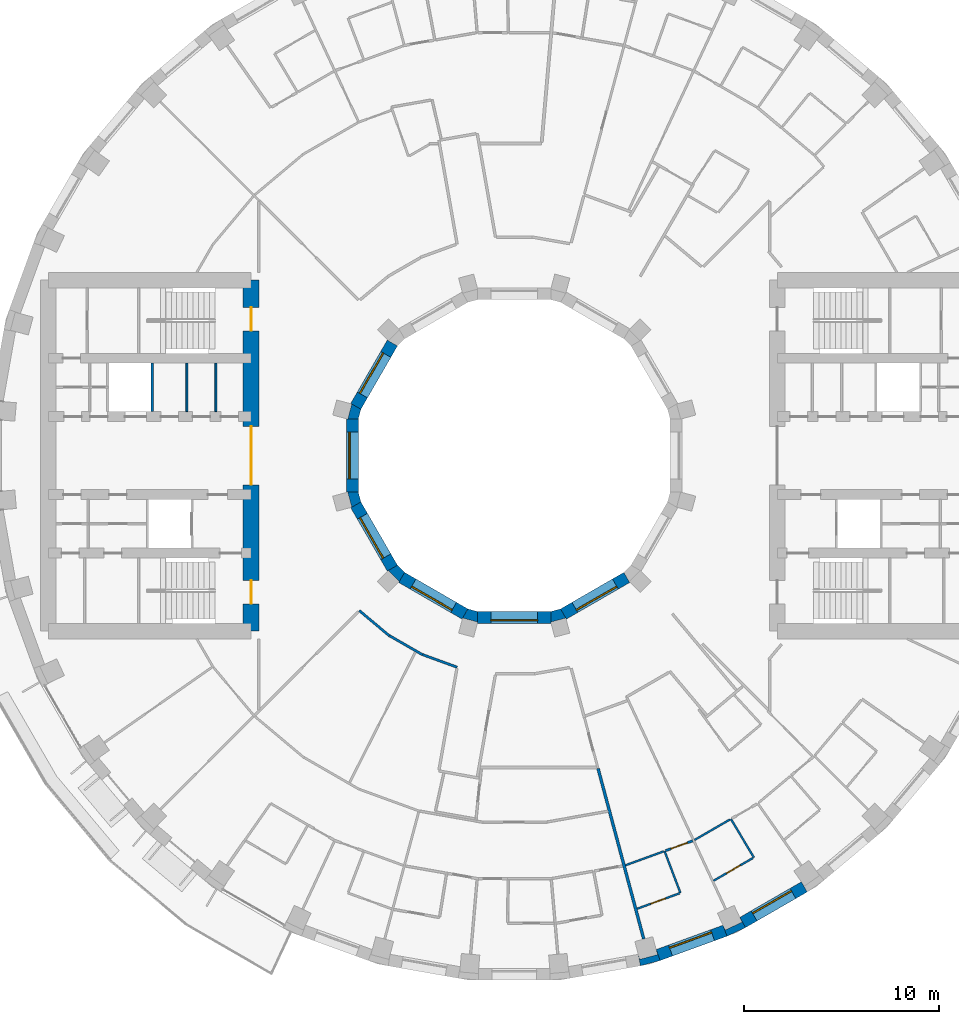
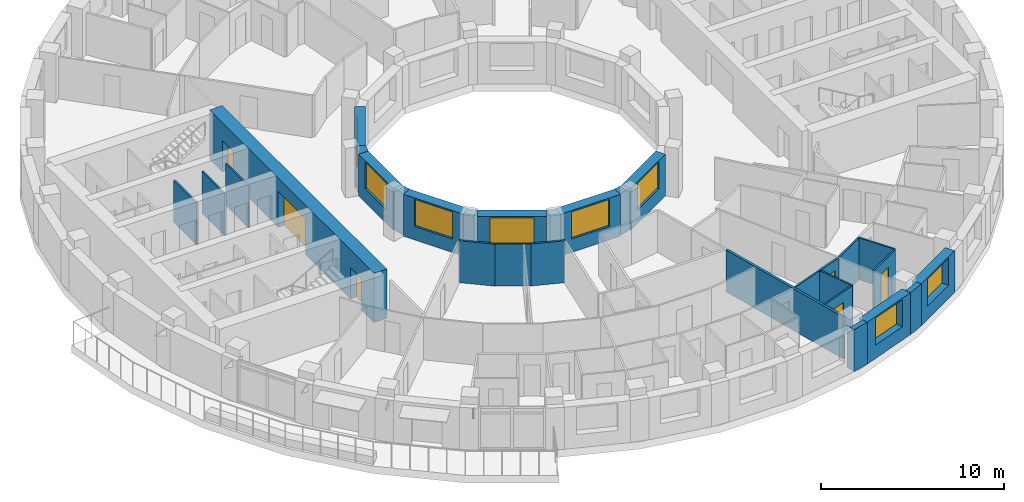
# One storey, part 7 of 16: 30 walls, 8 windows, 6 doors, 14 openings.
"""IFC4 building model written with IfcOpenShell, lengths in metres."""

from ifc_helpers import new_model, si_unit, direction, frame, frame_2d, origin, place, context, subcontext, project, spatial, polyline, rectangle, outline, extrude, material, layer, layer_set, type_object, element, fill, save


model = new_model("IFC4")

# Units and contexts
model_context = context("Model", 3, precision=1e-05, world=origin(), true_north=direction((0.0, 1.0)))
body_context = subcontext(model_context, "Body", "Model", "MODEL_VIEW")
ifc_project = project(units=[si_unit("LENGTHUNIT", "METRE"), si_unit("AREAUNIT", "SQUARE_METRE"), si_unit("VOLUMEUNIT", "CUBIC_METRE"), si_unit("PLANEANGLEUNIT", "RADIAN"), si_unit("MASSUNIT", "GRAM", prefix="KILO")], contexts=[model_context])

# Site, building, storey
site_placement = place(None, origin())
site = spatial("IfcSite", under=ifc_project, at=site_placement, CompositionType="ELEMENT")
building_placement = place(site_placement, origin())
building = spatial("IfcBuilding", under=site, at=building_placement, Name="Saqina Gate Tower", CompositionType="ELEMENT")
storey_placement = place(building_placement, frame((0.0, 0.0, 121.60009765625)))
storey = spatial("IfcBuildingStorey", under=building, at=storey_placement, Name="L34", CompositionType="ELEMENT", Elevation=121.60009765625)

# Walls
ifc_material_1 = material(Name="Brick masonry (buff)", Category="masonry")
wall_type_1 = type_object("IfcWallType", Name="BRICK PIER COPING BUFF", PredefinedType="SOLIDWALL", material=ifc_material_1)
wall_1_placement = place(storey_placement, origin())
element("IfcWall", 1, at=wall_1_placement, inside=storey, type_object=wall_type_1, Name="Pier cap L34 column 29", PredefinedType="SOLIDWALL", context=body_context, shape_type="SweptSolid", body=[
    extrude(outline(polyline([(6.466796875, -26.171875), (7.485595703125, -25.89892578125), (7.2802734375, -25.335205078125), (7.349853515625, -25.5947265625), (6.43212890625, -25.8408203125), (6.36279296875, -25.5810546875), (6.466796875, -26.171875)])), origin(), (0.0, 0.0, 1.0), 2.7998046875),
])
wall_2_placement = place(storey_placement, origin())
element("IfcWall", 2, at=wall_2_placement, inside=storey, type_object=wall_type_1, Name="Pier cap L34 column 30", PredefinedType="SOLIDWALL", context=body_context, shape_type="SweptSolid", body=[
    extrude(outline(polyline([(10.913330078125, -24.6513671875), (11.869140625, -24.205810546875), (11.569091796875, -23.68603515625), (11.6826171875, -23.9296875), (10.82177734375, -24.331298828125), (10.7080078125, -24.08740234375), (10.913330078125, -24.6513671875)])), origin(), (0.0, 0.0, 1.0), 2.7998046875),
])
ifc_material_2 = material(Name="Gypsum board on steel studs", Category="steel")
ifc_layer_1 = layer(ifc_material_2, 0.10009765625)
ifc_layer_set_1 = layer_set([ifc_layer_1], Name="CORE PARTITION")
wall_type_2 = type_object("IfcWallType", Name="CORE PARTITION", PredefinedType="PARTITIONING", material=ifc_layer_set_1)
for number, where, z_axis, x_axis, name in (
    (3, (-15.298095703125, 2.25, 0.0), (0.0, 0.0, 1.0), (0.0, 1.0, 0.0), "L34-CP-W01"),
    (4, (-16.789306640625, 2.25, 0.0), (0.0, 0.0, 1.0), (0.0, 1.0, 0.0), "L34-CP-W02"),
):
    element("IfcWall", number, at=place(storey_placement, frame(where, z_axis=z_axis, x_axis=x_axis)), inside=storey, type_object=wall_type_2, Name=name, PredefinedType="PARTITIONING", context=body_context, shape_type="SweptSolid", body=[
        extrude(rectangle(XDim=2.5, YDim=0.10009765625, at=frame_2d((1.25, 0.0))), origin(), (0.0, 0.0, 1.0), 2.7998046875),
    ])

# Wall, opening, window
ifc_material_3 = material(Name="Brick masonry (buff)", Category="masonry")
ifc_layer_2 = layer(ifc_material_3, 0.60009765625)
ifc_layer_set_2 = layer_set([ifc_layer_2], Name="FW-BRICK-BUFF")
wall_type_3 = type_object("IfcWallType", Name="FW-BRICK-BUFF", PredefinedType="SOLIDWALL", material=ifc_layer_set_2)
wall_3_placement = place(storey_placement, frame((7.3828125, -25.616943359375, 0.0), z_axis=(0.0, 0.0, 1.0), x_axis=(0.939703505393, 0.341990236633, 0.0)))
wall_3 = element("IfcWall", 5, at=wall_3_placement, inside=storey, type_object=wall_type_3, Name="Facade wall L34 facet 29", PredefinedType="SOLIDWALL", context=body_context, shape_type="SweptSolid", body=[
    extrude(rectangle(XDim=3.64794921875, YDim=0.60009765625, at=frame_2d((1.823974609375, 0.0))), origin(), (0.0, 0.0, 1.0), 2.7998046875),
])
opening_1_placement = place(wall_3_placement, frame((0.673828125, 0.0, 0.89990234375)))
opening_1 = element("IfcOpeningElement", 6, at=opening_1_placement, cuts=wall_3, Name="Opening G10-W18", PredefinedType="OPENING", context=body_context, shape_type="SweptSolid", body=[
    extrude(rectangle(XDim=2.300048828125, YDim=1.800048828125, at=frame_2d((1.14990234375, 0.89990234375))), frame((0.0, 0.31201171875, 0.0), z_axis=(0.0, -1.0, 0.0), x_axis=(1.0, 0.0, 0.0)), (0.0, 0.0, 1.0), 0.6240234375),
])
ifc_material_4 = material(Name="Aluminium glazing", Category="aluminium")
window_type_1 = type_object("IfcWindowType", Name="WN-B", PartitioningType="SINGLE_PANEL", PredefinedType="WINDOW", material=ifc_material_4)
window_1_placement = place(opening_1_placement, origin())
window_1 = element("IfcWindow", 7, at=window_1_placement, inside=storey, type_object=window_type_1, Name="Window L34 facet 29", OverallHeight=1.800048828125, OverallWidth=2.300048828125, PartitioningType="SINGLE_PANEL", PredefinedType="WINDOW", context=body_context, shape_type="SweptSolid", body=[
    extrude(rectangle(XDim=2.300048828125, YDim=1.800048828125, at=frame_2d((1.14990234375, 0.89990234375))), frame((0.0, 0.179931640625, 0.0), z_axis=(0.0, -1.0, 0.0), x_axis=(1.0, 0.0, 0.0)), (0.0, 0.0, 1.0), 0.06005859375),
])
fill(opening_1, window_1)

wall_4_placement = place(storey_placement, frame((11.718994140625, -23.94580078125, 0.0), z_axis=(0.0, 0.0, 1.0), x_axis=(0.866051847062, 0.499954196102, 0.0)))
wall_4 = element("IfcWall", 8, at=wall_4_placement, inside=storey, type_object=wall_type_3, Name="Facade wall L34 facet 30", PredefinedType="SOLIDWALL", context=body_context, shape_type="SweptSolid", body=[
    extrude(rectangle(XDim=3.647705078125, YDim=0.60009765625, at=frame_2d((1.82373046875, 0.0))), origin(), (0.0, 0.0, 1.0), 2.7998046875),
])
opening_2_placement = place(wall_4_placement, frame((0.673828125, 0.0, 0.89990234375)))
opening_2 = element("IfcOpeningElement", 9, at=opening_2_placement, cuts=wall_4, Name="Opening G10-W19", PredefinedType="OPENING", context=body_context, shape_type="SweptSolid", body=[
    extrude(rectangle(XDim=2.300048828125, YDim=1.800048828125, at=frame_2d((1.14990234375, 0.89990234375))), frame((0.0, 0.31201171875, 0.0), z_axis=(0.0, -1.0, 0.0), x_axis=(1.0, 0.0, 0.0)), (0.0, 0.0, 1.0), 0.6240234375),
])
window_2_placement = place(opening_2_placement, origin())
window_2 = element("IfcWindow", 10, at=window_2_placement, inside=storey, type_object=window_type_1, Name="Window L34 facet 30", OverallHeight=1.800048828125, OverallWidth=2.300048828125, PartitioningType="SINGLE_PANEL", PredefinedType="WINDOW", context=body_context, shape_type="SweptSolid", body=[
    extrude(rectangle(XDim=2.300048828125, YDim=1.800048828125, at=frame_2d((1.14990234375, 0.89990234375))), frame((0.0, 0.179931640625, 0.0), z_axis=(0.0, -1.0, 0.0), x_axis=(1.0, 0.0, 0.0)), (0.0, 0.0, 1.0), 0.06005859375),
])
fill(opening_2, window_2)

ifc_material_5 = material(Name="Glazed ceramic tile", Category="ceramic")
ifc_layer_3 = layer(ifc_material_5, 0.60009765625)
ifc_layer_set_3 = layer_set([ifc_layer_3], Name="IW-TILE")
wall_type_4 = type_object("IfcWallType", Name="IW-TILE", PredefinedType="SOLIDWALL", material=ifc_layer_set_3)
wall_5_placement = place(storey_placement, frame((-6.251220703125, 5.772705078125, 0.0), z_axis=(0.0, 0.0, 1.0), x_axis=(-0.499964958637, -0.86604563398, 0.0)))
wall_5 = element("IfcWall", 11, at=wall_5_placement, inside=storey, type_object=wall_type_4, Name="Well wall L34 facet 5", PredefinedType="SOLIDWALL", context=body_context, shape_type="SweptSolid", body=[
    extrude(rectangle(XDim=3.747314453125, YDim=0.60009765625, at=frame_2d((1.87353515625, 0.0))), origin(), (0.0, 0.0, 1.0), 2.7998046875),
])
opening_3_placement = place(wall_5_placement, frame((0.673583984375, 0.0, 0.89990234375)))
opening_3 = element("IfcOpeningElement", 12, at=opening_3_placement, cuts=wall_5, Name="Opening G10-W27", PredefinedType="OPENING", context=body_context, shape_type="SweptSolid", body=[
    extrude(rectangle(XDim=2.39990234375, YDim=1.800048828125, at=frame_2d((1.199951171875, 0.89990234375))), frame((0.0, 0.31201171875, 0.0), z_axis=(0.0, -1.0, 0.0), x_axis=(1.0, 0.0, 0.0)), (0.0, 0.0, 1.0), 0.6240234375),
])
ifc_material_6 = material(Name="Aluminium glazing", Category="aluminium")
window_type_2 = type_object("IfcWindowType", Name="WN-W", PartitioningType="SINGLE_PANEL", PredefinedType="WINDOW", material=ifc_material_6)
window_3_placement = place(opening_3_placement, origin())
window_3 = element("IfcWindow", 13, at=window_3_placement, inside=storey, type_object=window_type_2, Name="Well window L34 facet 5", OverallHeight=1.800048828125, OverallWidth=2.39990234375, PartitioningType="SINGLE_PANEL", PredefinedType="WINDOW", context=body_context, shape_type="SweptSolid", body=[
    extrude(rectangle(XDim=2.39990234375, YDim=1.800048828125, at=frame_2d((1.199951171875, 0.89990234375))), frame((0.0, -0.119873046875, 0.0), z_axis=(0.0, -1.0, 0.0), x_axis=(1.0, 0.0, 0.0)), (0.0, 0.0, 1.0), 0.06005859375),
])
fill(opening_3, window_3)

wall_6_placement = place(storey_placement, frame((-8.300048828125, 1.873779296875, 0.0), z_axis=(0.0, 0.0, 1.0), x_axis=(0.0, -1.0, 0.0)))
wall_6 = element("IfcWall", 14, at=wall_6_placement, inside=storey, type_object=wall_type_4, Name="Well wall L34 facet 6", PredefinedType="SOLIDWALL", context=body_context, shape_type="SweptSolid", body=[
    extrude(rectangle(XDim=3.74755859375, YDim=0.60009765625, at=frame_2d((1.873779296875, 0.0))), origin(), (0.0, 0.0, 1.0), 2.7998046875),
])
opening_4_placement = place(wall_6_placement, frame((0.673583984375, 0.0, 0.89990234375)))
opening_4 = element("IfcOpeningElement", 15, at=opening_4_placement, cuts=wall_6, Name="Opening G10-W28", PredefinedType="OPENING", context=body_context, shape_type="SweptSolid", body=[
    extrude(rectangle(XDim=2.39990234375, YDim=1.800048828125, at=frame_2d((1.199951171875, 0.89990234375))), frame((0.0, 0.31201171875, 0.0), z_axis=(0.0, -1.0, 0.0), x_axis=(1.0, 0.0, 0.0)), (0.0, 0.0, 1.0), 0.6240234375),
])
window_4_placement = place(opening_4_placement, origin())
window_4 = element("IfcWindow", 16, at=window_4_placement, inside=storey, type_object=window_type_2, Name="Well window L34 facet 6", OverallHeight=1.800048828125, OverallWidth=2.39990234375, PartitioningType="SINGLE_PANEL", PredefinedType="WINDOW", context=body_context, shape_type="SweptSolid", body=[
    extrude(rectangle(XDim=2.39990234375, YDim=1.800048828125, at=frame_2d((1.199951171875, 0.89990234375))), frame((0.0, -0.119873046875, 0.0), z_axis=(0.0, -1.0, 0.0), x_axis=(1.0, 0.0, 0.0)), (0.0, 0.0, 1.0), 0.06005859375),
])
fill(opening_4, window_4)

wall_7_placement = place(storey_placement, frame((-8.124755859375, -2.52734375, 0.0), z_axis=(0.0, 0.0, 1.0), x_axis=(0.499964958637, -0.86604563398, 0.0)))
wall_7 = element("IfcWall", 17, at=wall_7_placement, inside=storey, type_object=wall_type_4, Name="Well wall L34 facet 7", PredefinedType="SOLIDWALL", context=body_context, shape_type="SweptSolid", body=[
    extrude(rectangle(XDim=3.747314453125, YDim=0.60009765625, at=frame_2d((1.87353515625, 0.0))), origin(), (0.0, 0.0, 1.0), 2.7998046875),
])
opening_5_placement = place(wall_7_placement, frame((0.673583984375, 0.0, 0.89990234375)))
opening_5 = element("IfcOpeningElement", 18, at=opening_5_placement, cuts=wall_7, Name="Opening G10-W29", PredefinedType="OPENING", context=body_context, shape_type="SweptSolid", body=[
    extrude(rectangle(XDim=2.39990234375, YDim=1.800048828125, at=frame_2d((1.199951171875, 0.89990234375))), frame((0.0, 0.31201171875, 0.0), z_axis=(0.0, -1.0, 0.0), x_axis=(1.0, 0.0, 0.0)), (0.0, 0.0, 1.0), 0.6240234375),
])
window_5_placement = place(opening_5_placement, origin())
window_5 = element("IfcWindow", 19, at=window_5_placement, inside=storey, type_object=window_type_2, Name="Well window L34 facet 7", OverallHeight=1.800048828125, OverallWidth=2.39990234375, PartitioningType="SINGLE_PANEL", PredefinedType="WINDOW", context=body_context, shape_type="SweptSolid", body=[
    extrude(rectangle(XDim=2.39990234375, YDim=1.800048828125, at=frame_2d((1.199951171875, 0.89990234375))), frame((0.0, -0.119873046875, 0.0), z_axis=(0.0, -1.0, 0.0), x_axis=(1.0, 0.0, 0.0)), (0.0, 0.0, 1.0), 0.06005859375),
])
fill(opening_5, window_5)

wall_8_placement = place(storey_placement, frame((-5.772705078125, -6.251220703125, 0.0), z_axis=(0.0, 0.0, 1.0), x_axis=(0.86604563398, -0.499964958637, 0.0)))
wall_8 = element("IfcWall", 20, at=wall_8_placement, inside=storey, type_object=wall_type_4, Name="Well wall L34 facet 8", PredefinedType="SOLIDWALL", context=body_context, shape_type="SweptSolid", body=[
    extrude(rectangle(XDim=3.747314453125, YDim=0.60009765625, at=frame_2d((1.87353515625, 0.0))), origin(), (0.0, 0.0, 1.0), 2.7998046875),
])
opening_6_placement = place(wall_8_placement, frame((0.673583984375, 0.0, 0.89990234375)))
opening_6 = element("IfcOpeningElement", 21, at=opening_6_placement, cuts=wall_8, Name="Opening G10-W30", PredefinedType="OPENING", context=body_context, shape_type="SweptSolid", body=[
    extrude(rectangle(XDim=2.39990234375, YDim=1.800048828125, at=frame_2d((1.199951171875, 0.89990234375))), frame((0.0, 0.31201171875, 0.0), z_axis=(0.0, -1.0, 0.0), x_axis=(1.0, 0.0, 0.0)), (0.0, 0.0, 1.0), 0.6240234375),
])
window_6_placement = place(opening_6_placement, origin())
window_6 = element("IfcWindow", 22, at=window_6_placement, inside=storey, type_object=window_type_2, Name="Well window L34 facet 8", OverallHeight=1.800048828125, OverallWidth=2.39990234375, PartitioningType="SINGLE_PANEL", PredefinedType="WINDOW", context=body_context, shape_type="SweptSolid", body=[
    extrude(rectangle(XDim=2.39990234375, YDim=1.800048828125, at=frame_2d((1.199951171875, 0.89990234375))), frame((0.0, -0.119873046875, 0.0), z_axis=(0.0, -1.0, 0.0), x_axis=(1.0, 0.0, 0.0)), (0.0, 0.0, 1.0), 0.06005859375),
])
fill(opening_6, window_6)

wall_9_placement = place(storey_placement, frame((-1.873779296875, -8.300048828125, 0.0), z_axis=(0.0, 0.0, 1.0), x_axis=(1.0, 0.0, 0.0)))
wall_9 = element("IfcWall", 23, at=wall_9_placement, inside=storey, type_object=wall_type_4, Name="Well wall L34 facet 9", PredefinedType="SOLIDWALL", context=body_context, shape_type="SweptSolid", body=[
    extrude(rectangle(XDim=3.74755859375, YDim=0.60009765625, at=frame_2d((1.873779296875, 0.0))), origin(), (0.0, 0.0, 1.0), 2.7998046875),
])
opening_7_placement = place(wall_9_placement, frame((0.673583984375, 0.0, 0.89990234375)))
opening_7 = element("IfcOpeningElement", 24, at=opening_7_placement, cuts=wall_9, Name="Opening G10-W31", PredefinedType="OPENING", context=body_context, shape_type="SweptSolid", body=[
    extrude(rectangle(XDim=2.39990234375, YDim=1.800048828125, at=frame_2d((1.199951171875, 0.89990234375))), frame((0.0, 0.31201171875, 0.0), z_axis=(0.0, -1.0, 0.0), x_axis=(1.0, 0.0, 0.0)), (0.0, 0.0, 1.0), 0.6240234375),
])
window_7_placement = place(opening_7_placement, origin())
window_7 = element("IfcWindow", 25, at=window_7_placement, inside=storey, type_object=window_type_2, Name="Well window L34 facet 9", OverallHeight=1.800048828125, OverallWidth=2.39990234375, PartitioningType="SINGLE_PANEL", PredefinedType="WINDOW", context=body_context, shape_type="SweptSolid", body=[
    extrude(rectangle(XDim=2.39990234375, YDim=1.800048828125, at=frame_2d((1.199951171875, 0.89990234375))), frame((0.0, -0.119873046875, 0.0), z_axis=(0.0, -1.0, 0.0), x_axis=(1.0, 0.0, 0.0)), (0.0, 0.0, 1.0), 0.06005859375),
])
fill(opening_7, window_7)

wall_10_placement = place(storey_placement, frame((2.52734375, -8.124755859375, 0.0), z_axis=(0.0, 0.0, 1.0), x_axis=(0.86604563398, 0.499964958637, 0.0)))
wall_10 = element("IfcWall", 26, at=wall_10_placement, inside=storey, type_object=wall_type_4, Name="Well wall L34 facet 10", PredefinedType="SOLIDWALL", context=body_context, shape_type="SweptSolid", body=[
    extrude(rectangle(XDim=3.747314453125, YDim=0.60009765625, at=frame_2d((1.87353515625, 0.0))), origin(), (0.0, 0.0, 1.0), 2.7998046875),
])
opening_8_placement = place(wall_10_placement, frame((0.673583984375, 0.0, 0.89990234375)))
opening_8 = element("IfcOpeningElement", 27, at=opening_8_placement, cuts=wall_10, Name="Opening G10-W32", PredefinedType="OPENING", context=body_context, shape_type="SweptSolid", body=[
    extrude(rectangle(XDim=2.39990234375, YDim=1.800048828125, at=frame_2d((1.199951171875, 0.89990234375))), frame((0.0, 0.31201171875, 0.0), z_axis=(0.0, -1.0, 0.0), x_axis=(1.0, 0.0, 0.0)), (0.0, 0.0, 1.0), 0.6240234375),
])
window_8_placement = place(opening_8_placement, origin())
window_8 = element("IfcWindow", 28, at=window_8_placement, inside=storey, type_object=window_type_2, Name="Well window L34 facet 10", OverallHeight=1.800048828125, OverallWidth=2.39990234375, PartitioningType="SINGLE_PANEL", PredefinedType="WINDOW", context=body_context, shape_type="SweptSolid", body=[
    extrude(rectangle(XDim=2.39990234375, YDim=1.800048828125, at=frame_2d((1.199951171875, 0.89990234375))), frame((0.0, -0.119873046875, 0.0), z_axis=(0.0, -1.0, 0.0), x_axis=(1.0, 0.0, 0.0)), (0.0, 0.0, 1.0), 0.06005859375),
])
fill(opening_8, window_8)

# Walls
ifc_material_7 = material(Name="Gypsum board on steel studs, 100 mm", Category="steel")
ifc_layer_4 = layer(ifc_material_7, 0.10009765625)
ifc_layer_set_4 = layer_set([ifc_layer_4], Name="PARTITION 100")
wall_type_5 = type_object("IfcWallType", Name="PARTITION 100", PredefinedType="PARTITIONING", material=ifc_layer_set_4)
wall_11_placement = place(storey_placement, frame((7.708984375, -20.283935546875, 0.0), z_axis=(0.0, 0.0, 1.0), x_axis=(0.355156544563, -0.934806840397, 0.0)))
element("IfcWall", 29, at=wall_11_placement, inside=storey, type_object=wall_type_5, Name="PARTITION PW3-11", PredefinedType="PARTITIONING", context=body_context, shape_type="SweptSolid", body=[
    extrude(rectangle(XDim=2.300048828125, YDim=0.10009765625, at=frame_2d((1.14990234375, 0.0))), origin(), (0.0, 0.0, 1.0), 2.7998046875),
])
wall_12_placement = place(storey_placement, frame((11.114013671875, -18.636962890625, 0.0), z_axis=(0.0, 0.0, 1.0), x_axis=(0.512043462342, -0.858959540766, 0.0)))
element("IfcWall", 30, at=wall_12_placement, inside=storey, type_object=wall_type_5, Name="PARTITION PW3-18", PredefinedType="PARTITIONING", context=body_context, shape_type="SweptSolid", body=[
    extrude(rectangle(XDim=2.300537109375, YDim=0.10009765625, at=frame_2d((1.150390625, 0.0))), origin(), (0.0, 0.0, 1.0), 2.7998046875),
])

# Wall, opening, door
wall_13_placement = place(storey_placement, frame((6.305419921875, -23.242431640625, 0.0), z_axis=(0.0, 0.0, 1.0), x_axis=(0.939673181972, 0.342073546307, 0.0)))
wall_13 = element("IfcWall", 31, at=wall_13_placement, inside=storey, type_object=wall_type_5, Name="PARTITION PW3-63", PredefinedType="PARTITIONING", context=body_context, shape_type="SweptSolid", body=[
    extrude(rectangle(XDim=2.313232421875, YDim=0.10009765625, at=frame_2d((1.15673828125, 0.0))), origin(), (0.0, 0.0, 1.0), 2.7998046875),
])
opening_9_placement = place(wall_13_placement, frame((0.743896484375, 0.0, 0.0)))
opening_9 = element("IfcOpeningElement", 32, at=opening_9_placement, cuts=wall_13, Name="Opening G10-D48", PredefinedType="OPENING", context=body_context, shape_type="SweptSolid", body=[
    extrude(rectangle(XDim=0.800048828125, YDim=2.10009765625, at=frame_2d((0.39990234375, 1.050048828125))), frame((0.0, 0.06201171875, 0.0), z_axis=(0.0, -1.0, 0.0), x_axis=(1.0, 0.0, 0.0)), (0.0, 0.0, 1.0), 0.1240234375),
])
ifc_material_8 = material(Name="Timber door leaf, 800 mm", Category="wood")
door_type_1 = type_object("IfcDoorType", Name="DOOR 800 TIMBER", OperationType="SINGLE_SWING_LEFT", PredefinedType="DOOR", material=ifc_material_8)
door_1_placement = place(opening_9_placement, frame((0.800048828125, 0.0, 0.0), z_axis=(0.0, 0.0, 1.0), x_axis=(-1.0, 0.0, 0.0)))
door_1 = element("IfcDoor", 33, at=door_1_placement, inside=storey, type_object=door_type_1, Name="DOOR G10-D48", OperationType="SINGLE_SWING_RIGHT", OverallHeight=2.10009765625, OverallWidth=0.800048828125, PredefinedType="DOOR", context=body_context, shape_type="SweptSolid", body=[
    extrude(rectangle(XDim=0.800048828125, YDim=2.10009765625, at=frame_2d((0.39990234375, 1.050048828125))), frame((0.0, 0.02490234375, 0.0), z_axis=(0.0, -1.0, 0.0), x_axis=(1.0, 0.0, 0.0)), (0.0, 0.0, 1.0), 0.050048828125),
])
fill(opening_9, door_1)

# Wall
wall_14_placement = place(storey_placement, frame((5.70751953125, -21.012451171875, 0.0), z_axis=(0.0, 0.0, 1.0), x_axis=(0.939690572239, 0.342025771609, 0.0)))
element("IfcWall", 34, at=wall_14_placement, inside=storey, type_object=wall_type_5, Name="PARTITION PW3-64", PredefinedType="PARTITIONING", context=body_context, shape_type="SweptSolid", body=[
    extrude(rectangle(XDim=2.080078125, YDim=0.10009765625, at=frame_2d((1.0400390625, 0.0))), origin(), (0.0, 0.0, 1.0), 2.7998046875),
])

# Wall, opening, door
wall_15_placement = place(storey_placement, frame((10.2236328125, -21.806884765625, 0.0), z_axis=(0.0, 0.0, 1.0), x_axis=(0.866076057046, 0.499912255713, 0.0)))
wall_15 = element("IfcWall", 35, at=wall_15_placement, inside=storey, type_object=wall_type_5, Name="PARTITION PW3-69", PredefinedType="PARTITIONING", context=body_context, shape_type="SweptSolid", body=[
    extrude(rectangle(XDim=2.33837890625, YDim=0.10009765625, at=frame_2d((1.169189453125, 0.0))), origin(), (0.0, 0.0, 1.0), 2.7998046875),
])
opening_10_placement = place(wall_15_placement, frame((0.768798828125, 0.0, 0.0)))
opening_10 = element("IfcOpeningElement", 36, at=opening_10_placement, cuts=wall_15, Name="Opening G10-D51", PredefinedType="OPENING", context=body_context, shape_type="SweptSolid", body=[
    extrude(rectangle(XDim=0.800048828125, YDim=2.10009765625, at=frame_2d((0.39990234375, 1.050048828125))), frame((0.0, 0.06201171875, 0.0), z_axis=(0.0, -1.0, 0.0), x_axis=(1.0, 0.0, 0.0)), (0.0, 0.0, 1.0), 0.1240234375),
])
door_2_placement = place(opening_10_placement, frame((0.800048828125, 0.0, 0.0), z_axis=(0.0, 0.0, 1.0), x_axis=(-1.0, 0.0, 0.0)))
door_2 = element("IfcDoor", 37, at=door_2_placement, inside=storey, type_object=door_type_1, Name="DOOR G10-D51", OperationType="SINGLE_SWING_RIGHT", OverallHeight=2.10009765625, OverallWidth=0.800048828125, PredefinedType="DOOR", context=body_context, shape_type="SweptSolid", body=[
    extrude(rectangle(XDim=0.800048828125, YDim=2.10009765625, at=frame_2d((0.39990234375, 1.050048828125))), frame((0.0, 0.02490234375, 0.0), z_axis=(0.0, -1.0, 0.0), x_axis=(1.0, 0.0, 0.0)), (0.0, 0.0, 1.0), 0.050048828125),
])
fill(opening_10, door_2)

# Walls
wall_16_placement = place(storey_placement, frame((9.248291015625, -19.715087890625, 0.0), z_axis=(0.0, 0.0, 1.0), x_axis=(0.865870655861, 0.50026793553, 0.0)))
element("IfcWall", 38, at=wall_16_placement, inside=storey, type_object=wall_type_5, Name="PARTITION PW3-70", PredefinedType="PARTITIONING", context=body_context, shape_type="SweptSolid", body=[
    extrude(rectangle(XDim=2.104736328125, YDim=0.10009765625, at=frame_2d((1.05224609375, 0.0))), origin(), (0.0, 0.0, 1.0), 2.7998046875),
])
ifc_material_9 = material(Name="Gypsum board on steel studs, 125 mm, fire rated", Category="steel")
ifc_layer_5 = layer(ifc_material_9, 0.125)
ifc_layer_set_5 = layer_set([ifc_layer_5], Name="PARTITION EI 30 125")
wall_type_6 = type_object("IfcWallType", Name="PARTITION EI 30 125", PredefinedType="PARTITIONING", material=ifc_layer_set_5)
wall_17_placement = place(storey_placement, frame((-7.947998046875, -7.947998046875, 0.0), z_axis=(0.0, 0.0, 1.0), x_axis=(0.765990176891, -0.642852276115, 0.0)))
element("IfcWall", 39, at=wall_17_placement, inside=storey, type_object=wall_type_6, Name="PARTITION PW1-11", PredefinedType="PARTITIONING", context=body_context, shape_type="SweptSolid", body=[
    extrude(rectangle(XDim=2.022216796875, YDim=0.125, at=frame_2d((1.01123046875, 0.0))), origin(), (0.0, 0.0, 1.0), 2.7998046875),
])
wall_18_placement = place(storey_placement, frame((-6.393798828125, -9.2392578125, 0.0), z_axis=(0.0, 0.0, 1.0), x_axis=(0.866328596722, -0.499474486338, 0.0)))
element("IfcWall", 40, at=wall_18_placement, inside=storey, type_object=wall_type_6, Name="PARTITION PW1-16", PredefinedType="PARTITIONING", context=body_context, shape_type="SweptSolid", body=[
    extrude(rectangle(XDim=1.96044921875, YDim=0.125, at=frame_2d((0.980224609375, 0.0))), origin(), (0.0, 0.0, 1.0), 2.7998046875),
])
wall_19_placement = place(storey_placement, frame((-4.6923828125, -10.21044921875, 0.0), z_axis=(0.0, 0.0, 1.0), x_axis=(0.939424480892, -0.342755955019, 0.0)))
element("IfcWall", 41, at=wall_19_placement, inside=storey, type_object=wall_type_6, Name="PARTITION PW1-21", PredefinedType="PARTITIONING", context=body_context, shape_type="SweptSolid", body=[
    extrude(rectangle(XDim=1.876953125, YDim=0.125, at=frame_2d((0.9384765625, 0.0))), origin(), (0.0, 0.0, 1.0), 2.7998046875),
])

# Wall, opening, door
wall_20_placement = place(storey_placement, frame((7.756103515625, -20.266845703125, 0.0), z_axis=(0.0, 0.0, 1.0), x_axis=(0.939793423488, 0.341743063087, 0.0)))
wall_20 = element("IfcWall", 42, at=wall_20_placement, inside=storey, type_object=wall_type_6, Name="PARTITION PW1-35", PredefinedType="PARTITIONING", context=body_context, shape_type="SweptSolid", body=[
    extrude(rectangle(XDim=1.49169921875, YDim=0.125, at=frame_2d((0.745849609375, 0.0))), origin(), (0.0, 0.0, 1.0), 2.7998046875),
])
opening_11_placement = place(wall_20_placement, frame((0.2958984375, 0.0, 0.0)))
opening_11 = element("IfcOpeningElement", 43, at=opening_11_placement, cuts=wall_20, Name="Opening G10-D49", PredefinedType="OPENING", context=body_context, shape_type="SweptSolid", body=[
    extrude(rectangle(XDim=0.89990234375, YDim=2.10009765625, at=frame_2d((0.449951171875, 1.050048828125))), frame((0.0, 0.074462890625, 0.0), z_axis=(0.0, -1.0, 0.0), x_axis=(1.0, 0.0, 0.0)), (0.0, 0.0, 1.0), 0.14892578125),
])
ifc_material_10 = material(Name="Fire door leaf EI 30, 900 mm")
door_type_2 = type_object("IfcDoorType", Name="DOOR 900 EI 30", OperationType="SINGLE_SWING_LEFT", PredefinedType="DOOR", material=ifc_material_10)
door_3_placement = place(opening_11_placement, origin())
door_3 = element("IfcDoor", 44, at=door_3_placement, inside=storey, type_object=door_type_2, Name="DOOR G10-D49", OperationType="SINGLE_SWING_RIGHT", OverallHeight=2.10009765625, OverallWidth=0.89990234375, PredefinedType="DOOR", context=body_context, shape_type="SweptSolid", body=[
    extrude(rectangle(XDim=0.89990234375, YDim=2.10009765625, at=frame_2d((0.449951171875, 1.050048828125))), frame((0.0, 0.02490234375, 0.0), z_axis=(0.0, -1.0, 0.0), x_axis=(1.0, 0.0, 0.0)), (0.0, 0.0, 1.0), 0.050048828125),
])
fill(opening_11, door_3)

# Walls
ifc_material_11 = material(Name="Gypsum board on steel studs, 150 mm, fire rated", Category="steel")
ifc_layer_6 = layer(ifc_material_11, 0.14990234375)
ifc_layer_set_6 = layer_set([ifc_layer_6], Name="PARTITION EI 60 150")
wall_type_7 = type_object("IfcWallType", Name="PARTITION EI 60 150", PredefinedType="PARTITIONING", material=ifc_layer_set_6)
wall_21_placement = place(storey_placement, frame((4.30029296875, -16.05029296875, 0.0), z_axis=(0.0, 0.0, 1.0), x_axis=(0.25880441681, -0.965929745809, 0.0)))
element("IfcWall", 45, at=wall_21_placement, inside=storey, type_object=wall_type_7, Name="PARTITION PW2-01", PredefinedType="PARTITIONING", context=body_context, shape_type="SweptSolid", body=[
    extrude(rectangle(XDim=9.048583984375, YDim=0.14990234375, at=frame_2d((4.5244140625, 0.0))), origin(), (0.0, 0.0, 1.0), 2.7998046875),
])
ifc_material_12 = material(Name="Autoclaved aerated concrete block", Category="concrete")
ifc_layer_7 = layer(ifc_material_12, 0.1201171875)
ifc_layer_set_7 = layer_set([ifc_layer_7], Name="SHAFT PARTITION")
wall_type_8 = type_object("IfcWallType", Name="SHAFT PARTITION", PredefinedType="PARTITIONING", material=ifc_layer_set_7)
wall_22_placement = place(storey_placement, frame((-18.56005859375, 2.25, 0.0), z_axis=(0.0, 0.0, 1.0), x_axis=(0.0, 1.0, 0.0)))
element("IfcWall", 46, at=wall_22_placement, inside=storey, type_object=wall_type_8, Name="L34-CP-W03", PredefinedType="PARTITIONING", context=body_context, shape_type="SweptSolid", body=[
    extrude(rectangle(XDim=2.5, YDim=0.1201171875, at=frame_2d((1.25, 0.0))), origin(), (0.0, 0.0, 1.0), 2.7998046875),
])

# Wall, openings, doors
ifc_material_13 = material(Name="Concrete C70/85", Category="concrete")
ifc_layer_8 = layer(ifc_material_13, 0.800048828125)
ifc_layer_set_8 = layer_set([ifc_layer_8], Name="Concrete C70/85")
wall_type_9 = type_object("IfcWallType", Name="STR-CORE WALL-B-O", PredefinedType="SHEAR", material=ifc_layer_set_8)
wall_23_placement = place(storey_placement, frame((-13.5, -9.0, 0.0), z_axis=(0.0, 0.0, 1.0), x_axis=(0.0, 1.0, 0.0)))
wall_23 = element("IfcWall", 47, at=wall_23_placement, inside=storey, type_object=wall_type_9, Name="CORE WALL L34 W-W1", PredefinedType="SHEAR", context=body_context, shape_type="SweptSolid", body=[
    extrude(rectangle(XDim=18.0, YDim=0.800048828125, at=frame_2d((9.0, 0.0))), origin(), (0.0, 0.0, 1.0), 3.2998046875),
])
opening_12_placement = place(wall_23_placement, frame((15.39990234375, 0.0, 0.0)))
opening_12 = element("IfcOpeningElement", 48, at=opening_12_placement, cuts=wall_23, Name="Opening G10-D127", PredefinedType="OPENING", context=body_context, shape_type="SweptSolid", body=[
    extrude(rectangle(XDim=1.199951171875, YDim=2.10009765625, at=frame_2d((0.60009765625, 1.050048828125))), frame((0.0, 0.412109375, 0.0), z_axis=(0.0, -1.0, 0.0), x_axis=(1.0, 0.0, 0.0)), (0.0, 0.0, 1.0), 0.823974609375),
])
opening_13_placement = place(wall_23_placement, frame((1.39990234375, 0.0, 0.0)))
opening_13 = element("IfcOpeningElement", 49, at=opening_13_placement, cuts=wall_23, Name="Opening G10-D128", PredefinedType="OPENING", context=body_context, shape_type="SweptSolid", body=[
    extrude(rectangle(XDim=1.199951171875, YDim=2.10009765625, at=frame_2d((0.60009765625, 1.050048828125))), frame((0.0, 0.412109375, 0.0), z_axis=(0.0, -1.0, 0.0), x_axis=(1.0, 0.0, 0.0)), (0.0, 0.0, 1.0), 0.823974609375),
])
opening_14_placement = place(wall_23_placement, frame((7.5, 0.0, 0.0)))
opening_14 = element("IfcOpeningElement", 50, at=opening_14_placement, cuts=wall_23, Name="Opening G10-D129", PredefinedType="OPENING", context=body_context, shape_type="SweptSolid", body=[
    extrude(rectangle(XDim=3.0, YDim=2.39990234375, at=frame_2d((1.5, 1.199951171875))), frame((0.0, 0.412109375, 0.0), z_axis=(0.0, -1.0, 0.0), x_axis=(1.0, 0.0, 0.0)), (0.0, 0.0, 1.0), 0.823974609375),
])
ifc_material_14 = material(Name="Steel", Category="steel")
door_type_3 = type_object("IfcDoorType", Name="FIRE DOOR EI 60", OperationType="SINGLE_SWING_LEFT", PredefinedType="DOOR", material=ifc_material_14)
door_4_placement = place(opening_12_placement, origin())
door_4 = element("IfcDoor", 51, at=door_4_placement, inside=storey, type_object=door_type_3, Name="L34-CD-W38", OperationType="SINGLE_SWING_RIGHT", OverallHeight=2.10009765625, OverallWidth=1.199951171875, PredefinedType="DOOR", context=body_context, shape_type="SweptSolid", body=[
    extrude(rectangle(XDim=1.199951171875, YDim=2.10009765625, at=frame_2d((0.60009765625, 1.050048828125))), frame((0.0, 0.02490234375, 0.0), z_axis=(0.0, -1.0, 0.0), x_axis=(1.0, 0.0, 0.0)), (0.0, 0.0, 1.0), 0.050048828125),
])
fill(opening_12, door_4)
door_5_placement = place(opening_13_placement, origin())
door_5 = element("IfcDoor", 52, at=door_5_placement, inside=storey, type_object=door_type_3, Name="L34-CD-W39", OperationType="SINGLE_SWING_LEFT", OverallHeight=2.10009765625, OverallWidth=1.199951171875, PredefinedType="DOOR", context=body_context, shape_type="SweptSolid", body=[
    extrude(rectangle(XDim=1.199951171875, YDim=2.10009765625, at=frame_2d((0.60009765625, 1.050048828125))), frame((0.0, 0.02490234375, 0.0), z_axis=(0.0, -1.0, 0.0), x_axis=(1.0, 0.0, 0.0)), (0.0, 0.0, 1.0), 0.050048828125),
])
fill(opening_13, door_5)
ifc_material_15 = material(Name="Steel and fire-resisting glass", Category="steel")
door_type_4 = type_object("IfcDoorType", Name="LOBBY SCREEN DOOR", OperationType="DOUBLE_DOOR_SLIDING", PredefinedType="DOOR", material=ifc_material_15)
door_6_placement = place(opening_14_placement, origin())
door_6 = element("IfcDoor", 53, at=door_6_placement, inside=storey, type_object=door_type_4, Name="L34-CD-W40", OperationType="DOUBLE_DOOR_SLIDING", OverallHeight=2.39990234375, OverallWidth=3.0, PredefinedType="DOOR", context=body_context, shape_type="SweptSolid", body=[
    extrude(rectangle(XDim=3.0, YDim=2.39990234375, at=frame_2d((1.5, 1.199951171875))), frame((0.0, 0.02490234375, 0.0), z_axis=(0.0, -1.0, 0.0), x_axis=(1.0, 0.0, 0.0)), (0.0, 0.0, 1.0), 0.050048828125),
])
fill(opening_14, door_6)

# Walls
ifc_material_16 = material(Name="Glazed ceramic tile", Category="ceramic")
wall_type_10 = type_object("IfcWallType", Name="TILE PIER COPING", PredefinedType="SOLIDWALL", material=ifc_material_16)
wall_24_placement = place(storey_placement, origin())
element("IfcWall", 54, at=wall_24_placement, inside=storey, type_object=wall_type_10, Name="Well pier cap L34 column 6", PredefinedType="SOLIDWALL", context=body_context, shape_type="SweptSolid", body=[
    extrude(outline(polyline([(-8.5380859375, 1.873779296875), (-8.0, 1.873779296875), (-7.864990234375, 2.377197265625), (-8.3310546875, 2.646484375), (-8.5380859375, 1.873779296875)])), origin(), (0.0, 0.0, 1.0), 2.7998046875),
])
wall_25_placement = place(storey_placement, origin())
element("IfcWall", 55, at=wall_25_placement, inside=storey, type_object=wall_type_10, Name="Well pier cap L34 column 7", PredefinedType="SOLIDWALL", context=body_context, shape_type="SweptSolid", body=[
    extrude(outline(polyline([(-8.3310546875, -2.646484375), (-7.864990234375, -2.377197265625), (-8.0, -1.873779296875), (-8.5380859375, -1.873779296875), (-8.3310546875, -2.646484375)])), origin(), (0.0, 0.0, 1.0), 2.7998046875),
])
wall_26_placement = place(storey_placement, origin())
element("IfcWall", 56, at=wall_26_placement, inside=storey, type_object=wall_type_10, Name="Well pier cap L34 column 8", PredefinedType="SOLIDWALL", context=body_context, shape_type="SweptSolid", body=[
    extrude(outline(polyline([(-6.45751953125, -5.891845703125), (-5.891845703125, -6.45751953125), (-5.622802734375, -5.991455078125), (-5.991455078125, -5.622802734375), (-6.45751953125, -5.891845703125)])), origin(), (0.0, 0.0, 1.0), 2.7998046875),
])
wall_27_placement = place(storey_placement, origin())
element("IfcWall", 57, at=wall_27_placement, inside=storey, type_object=wall_type_10, Name="Well pier cap L34 column 9", PredefinedType="SOLIDWALL", context=body_context, shape_type="SweptSolid", body=[
    extrude(outline(polyline([(-1.873779296875, -8.5380859375), (-1.873779296875, -8.0), (-2.377197265625, -7.864990234375), (-2.646484375, -8.3310546875), (-1.873779296875, -8.5380859375)])), origin(), (0.0, 0.0, 1.0), 2.7998046875),
])
wall_28_placement = place(storey_placement, origin())
element("IfcWall", 58, at=wall_28_placement, inside=storey, type_object=wall_type_10, Name="Well pier cap L34 column 10", PredefinedType="SOLIDWALL", context=body_context, shape_type="SweptSolid", body=[
    extrude(outline(polyline([(2.646484375, -8.3310546875), (2.377197265625, -7.864990234375), (1.873779296875, -8.0), (1.873779296875, -8.5380859375), (2.646484375, -8.3310546875)])), origin(), (0.0, 0.0, 1.0), 2.7998046875),
])

save(model, "model.ifc")
